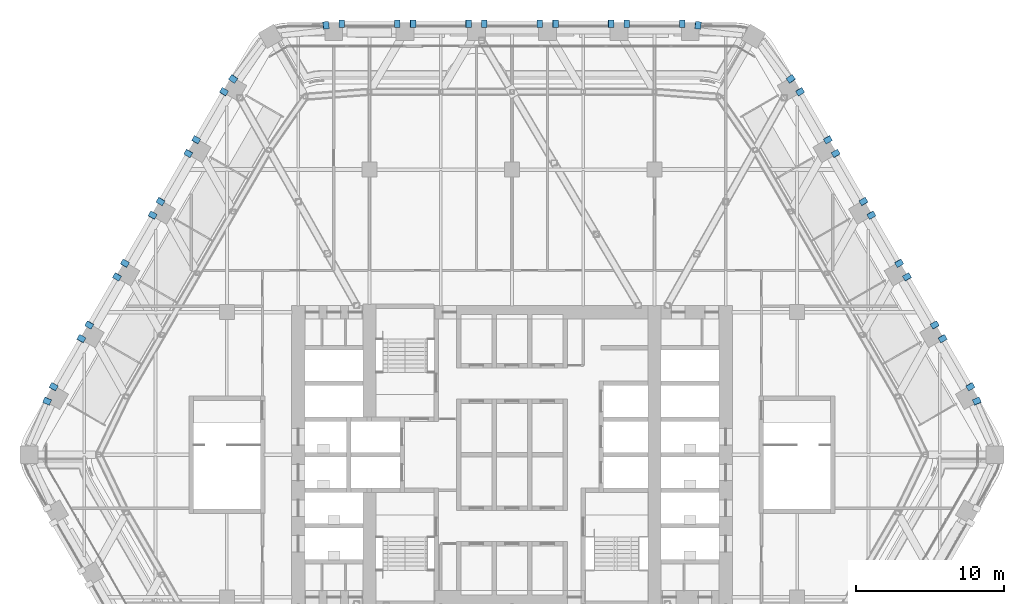
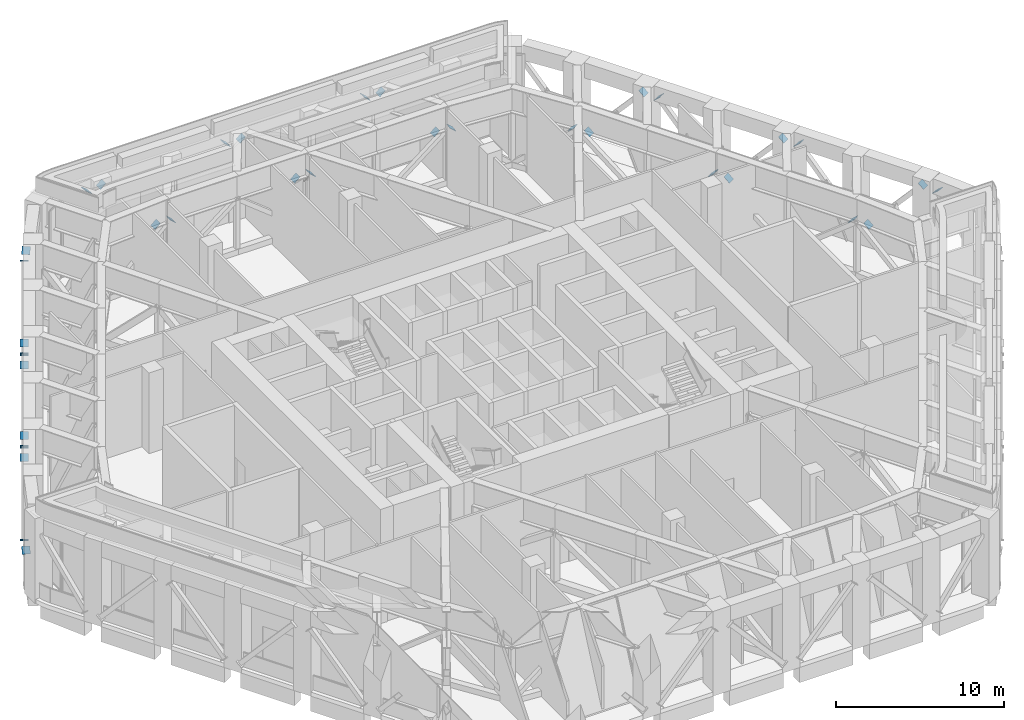
# One storey, part 24 of 27: 36 discrete accessories.
"""IFC4 building model written with IfcOpenShell, lengths in metres."""

from ifc_helpers import new_model, si_unit, direction, frame, origin, origin_2d, place, context, subcontext, project, spatial, rectangle, extrude, element, save


model = new_model("IFC4")

# Units and contexts
model_context = context("Model", 3, precision=1e-05, world=origin(), true_north=direction((0.0, 1.0)))
body_context = subcontext(model_context, "Body", "Model", "MODEL_VIEW")
ifc_project = project(units=[si_unit("LENGTHUNIT", "METRE"), si_unit("AREAUNIT", "SQUARE_METRE"), si_unit("VOLUMEUNIT", "CUBIC_METRE"), si_unit("PLANEANGLEUNIT", "RADIAN"), si_unit("MASSUNIT", "GRAM", prefix="KILO")], contexts=[model_context])

# Site, building, storey
site_placement = place(None, origin())
site = spatial("IfcSite", under=ifc_project, at=site_placement, CompositionType="ELEMENT")
building_placement = place(site_placement, origin())
building = spatial("IfcBuilding", under=site, at=building_placement, Name="Kolab Exchange Tower", CompositionType="ELEMENT")
storey_placement = place(building_placement, frame((0.0, 0.0, 127.39990234375)))
storey = spatial("IfcBuildingStorey", under=building, at=storey_placement, Name="L25", CompositionType="ELEMENT", Elevation=127.39990234375)

# Discrete accessories
for number, where, z_axis, x_axis, name in (
    (1, (-12.5361328125, 28.91796875, 4.60009765625), (0.623241956064, 0.068167088945, 0.77905244508), (-0.108726591286, 0.994071691754, 0.0), "Gusset plate"),
    (2, (-11.462158203125, 29.026611328125, 4.60009765625), (-0.661943533071, 0.0, 0.749553706565), (0.0, -1.0, 0.0), "Gusset plate"),
    (3, (-7.73779296875, 29.026611328125, 0.400146484375), (0.661943533071, 0.0, -0.749553706565), (0.0, 1.0, 0.0), "Gusset plate"),
    (4, (-6.662109375, 29.026611328125, 0.400146484375), (-0.661943533071, 0.0, -0.749553706565), (0.0, -1.0, 0.0), "Gusset plate"),
    (5, (-2.937744140625, 29.026611328125, 4.60009765625), (0.661943533071, 0.0, 0.749553706565), (0.0, 1.0, 0.0), "Gusset plate"),
    (6, (-1.8623046875, 29.026611328125, 4.60009765625), (-0.661943533071, 0.0, 0.749553706565), (0.0, -1.0, 0.0), "Gusset plate"),
    (7, (1.8623046875, 29.026611328125, 0.400146484375), (0.661943533071, 0.0, -0.749553706565), (0.0, 1.0, 0.0), "Gusset plate"),
    (8, (2.937744140625, 29.026611328125, 0.400146484375), (-0.661943533071, 0.0, -0.749553706565), (0.0, -1.0, 0.0), "Gusset plate"),
    (9, (6.662109375, 29.026611328125, 4.60009765625), (0.661943533071, 0.0, 0.749553706565), (0.0, 1.0, 0.0), "Gusset plate"),
    (10, (7.73779296875, 29.026611328125, 4.60009765625), (-0.661943533071, 0.0, 0.749553706565), (0.0, -1.0, 0.0), "Gusset plate"),
    (11, (11.462158203125, 29.026611328125, 0.400146484375), (0.661943533071, 0.0, -0.749553706565), (0.0, 1.0, 0.0), "Gusset plate"),
    (12, (12.5361328125, 28.91796875, 0.400146484375), (-0.623241956064, 0.068167088945, -0.77905244508), (-0.108726591286, -0.994071691754, 0.0), "Gusset plate"),
):
    element("IfcDiscreteAccessory", number, at=place(storey_placement, frame(where, z_axis=z_axis, x_axis=x_axis)), inside=storey, Name=name, ObjectType="GUSSET PLATE", PredefinedType="USERDEFINED", context=body_context, shape_type="SweptSolid", body=[
        extrude(rectangle(XDim=0.5, YDim=0.5, at=origin_2d()), origin(), (0.0, 0.0, 1.0), 0.025146484375),
    ])
discrete_accessory_1_placement = place(storey_placement, frame((18.775634765625, 25.3154296875, 0.400146484375), z_axis=(0.371817113019, -0.499017704315, -0.782772869514), x_axis=(0.801882827613, 0.597481322535, 0.0)))
element("IfcDiscreteAccessory", 13, at=discrete_accessory_1_placement, inside=storey, Name="Gusset plate", ObjectType="GUSSET PLATE", PredefinedType="USERDEFINED", context=body_context, shape_type="SweptSolid", body=[
    extrude(rectangle(XDim=0.5, YDim=0.5, at=origin_2d()), origin(), (0.0, 0.0, 1.0), 0.02490234375),
])
for number, where, z_axis, x_axis, name in (
    (14, (19.40673828125, 24.43994140625, 0.400146484375), (-0.330768096403, 0.573979931994, -0.749092453619), (-0.866429964967, -0.499298623879, 0.0), "Gusset plate"),
    (15, (21.268798828125, 21.214599609375, 4.60009765625), (0.330768096403, -0.573979931994, 0.749092453619), (0.866429964967, 0.499298623879, 0.0), "Gusset plate"),
    (16, (21.806640625, 20.282958984375, 4.60009765625), (-0.330768096403, 0.573979931994, 0.749092453619), (-0.866429964967, -0.499298623879, 0.0), "Gusset plate"),
    (17, (23.6689453125, 17.0576171875, 0.400146484375), (0.330768096403, -0.573979931994, -0.749092453619), (0.866429964967, 0.499298623879, 0.0), "Gusset plate"),
    (18, (24.206787109375, 16.1259765625, 0.400146484375), (-0.330768096403, 0.573979931994, -0.749092453619), (-0.866429964967, -0.499298623879, 0.0), "Gusset plate"),
    (19, (26.06884765625, 12.900634765625, 4.60009765625), (0.330768096403, -0.573979931994, 0.749092453619), (0.866429964967, 0.499298623879, 0.0), "Gusset plate"),
    (20, (26.606689453125, 11.968994140625, 4.60009765625), (-0.330768096403, 0.573979931994, 0.749092453619), (-0.866429964967, -0.499298623879, 0.0), "Gusset plate"),
    (21, (28.468994140625, 8.74365234375, 0.400146484375), (0.330768096403, -0.573979931994, -0.749092453619), (0.866429964967, 0.499298623879, 0.0), "Gusset plate"),
    (22, (29.006591796875, 7.812255859375, 0.400146484375), (-0.330768096403, 0.573979931994, -0.749092453619), (-0.866429964967, -0.499298623879, 0.0), "Gusset plate"),
    (23, (30.868896484375, 4.5869140625, 4.60009765625), (0.330768096403, -0.573979931994, 0.749092453619), (0.866429964967, 0.499298623879, 0.0), "Gusset plate"),
    (24, (31.311767578125, 3.602294921875, 4.60009765625), (-0.253048103739, 0.574224543099, 0.778609549965), (-0.915086186066, -0.403258319283, 0.0), "Gusset plate"),
    (25, (-31.311767578125, 3.602294921875, 0.400146484375), (0.253048103739, 0.574224543099, -0.778609549965), (-0.915086186066, 0.403258319283, 0.0), "Gusset plate"),
    (26, (-30.868896484375, 4.5869140625, 0.400146484375), (-0.330768096403, -0.573979931994, -0.749092453619), (0.866429964967, -0.499298623879, 0.0), "Gusset plate"),
    (27, (-29.006591796875, 7.812255859375, 4.60009765625), (0.330768096403, 0.573979931994, 0.749092453619), (-0.866429964967, 0.499298623879, 0.0), "Gusset plate"),
    (28, (-28.468994140625, 8.74365234375, 4.60009765625), (-0.330768096403, -0.573979931994, 0.749092453619), (0.866429964967, -0.499298623879, 0.0), "Gusset plate"),
    (29, (-26.606689453125, 11.968994140625, 0.400146484375), (0.330768096403, 0.573979931994, -0.749092453619), (-0.866429964967, 0.499298623879, 0.0), "Gusset plate"),
    (30, (-26.06884765625, 12.900634765625, 0.400146484375), (-0.330768096403, -0.573979931994, -0.749092453619), (0.866429964967, -0.499298623879, 0.0), "Gusset plate"),
    (31, (-24.206787109375, 16.1259765625, 4.60009765625), (0.330768096403, 0.573979931994, 0.749092453619), (-0.866429964967, 0.499298623879, 0.0), "Gusset plate"),
    (32, (-23.6689453125, 17.0576171875, 4.60009765625), (-0.330768096403, -0.573979931994, 0.749092453619), (0.866429964967, -0.499298623879, 0.0), "Gusset plate"),
    (33, (-21.806640625, 20.282958984375, 0.400146484375), (0.330768096403, 0.573979931994, -0.749092453619), (-0.866429964967, 0.499298623879, 0.0), "Gusset plate"),
    (34, (-21.268798828125, 21.214599609375, 0.400146484375), (-0.330768096403, -0.573979931994, -0.749092453619), (0.866429964967, -0.499298623879, 0.0), "Gusset plate"),
    (35, (-19.40673828125, 24.43994140625, 4.60009765625), (0.330768096403, 0.573979931994, 0.749092453619), (-0.866429964967, 0.499298623879, 0.0), "Gusset plate"),
):
    element("IfcDiscreteAccessory", number, at=place(storey_placement, frame(where, z_axis=z_axis, x_axis=x_axis)), inside=storey, Name=name, ObjectType="GUSSET PLATE", PredefinedType="USERDEFINED", context=body_context, shape_type="SweptSolid", body=[
        extrude(rectangle(XDim=0.5, YDim=0.5, at=origin_2d()), origin(), (0.0, 0.0, 1.0), 0.025146484375),
    ])
discrete_accessory_2_placement = place(storey_placement, frame((-18.775634765625, 25.3154296875, 4.60009765625), z_axis=(-0.371817113019, -0.499017704315, 0.782772869514), x_axis=(0.801882827613, -0.597481322535, 0.0)))
element("IfcDiscreteAccessory", 36, at=discrete_accessory_2_placement, inside=storey, Name="Gusset plate", ObjectType="GUSSET PLATE", PredefinedType="USERDEFINED", context=body_context, shape_type="SweptSolid", body=[
    extrude(rectangle(XDim=0.5, YDim=0.5, at=origin_2d()), origin(), (0.0, 0.0, 1.0), 0.02490234375),
])

save(model, "model.ifc")
